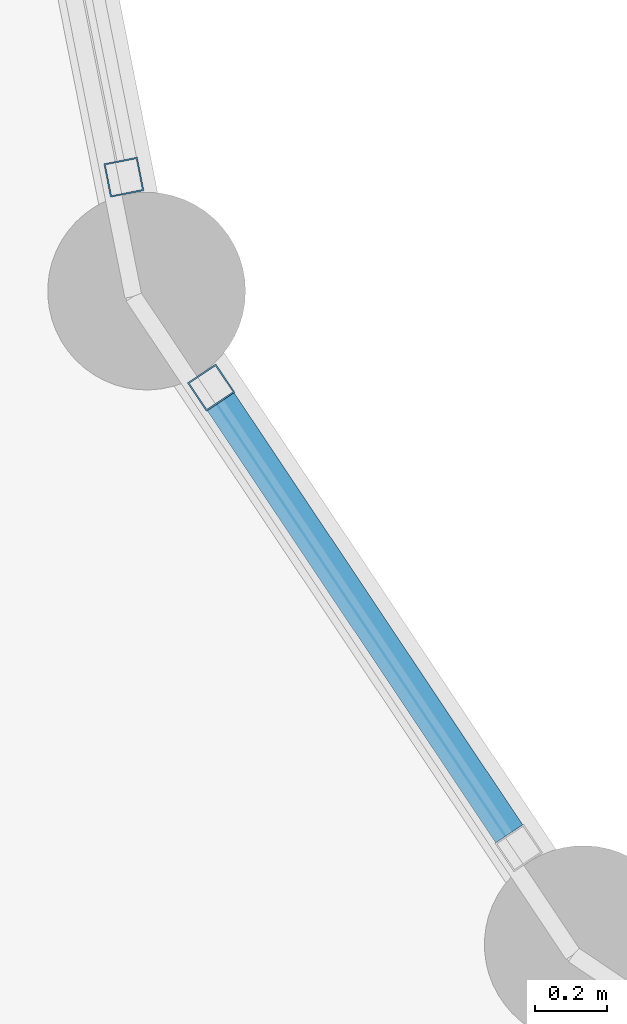
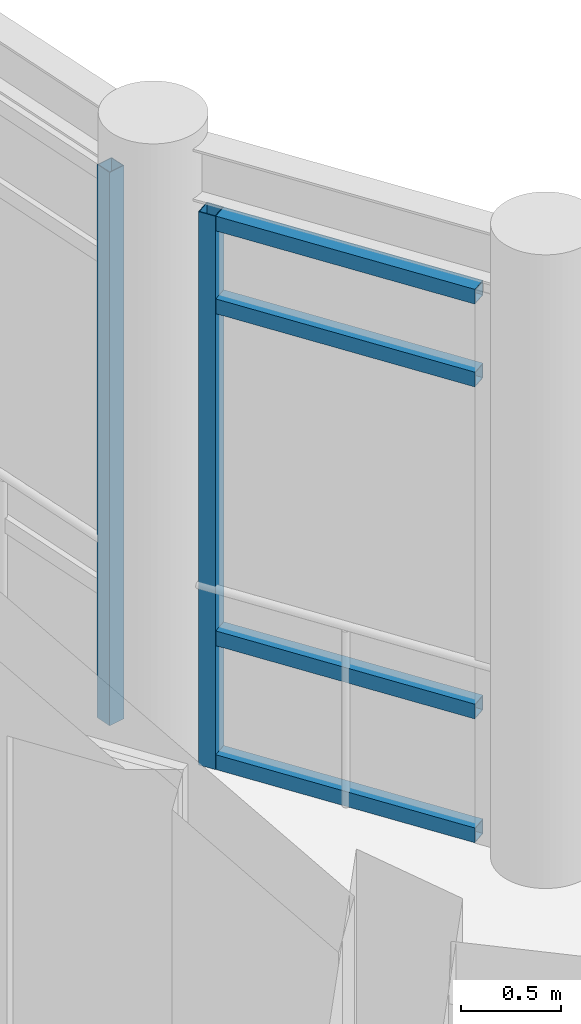
# One storey, part 8 of 149: 6 members, 2 elements without a shape of their own.
"""IFC4 building model written with IfcOpenShell, lengths in metres."""

from ifc_helpers import new_model, si_unit, direction, frame, origin, origin_2d, place, context, subcontext, project, spatial, hollow_rectangle, extrude, material, material_profile, profile_set, type_object, element, aggregate, save


model = new_model("IFC4")

# Units and contexts
model_context = context("Model", 3, precision=1e-05, world=origin(), true_north=direction((0.0, 1.0)))
body_context = subcontext(model_context, "Body", "Model", "MODEL_VIEW")
ifc_project = project(units=[si_unit("LENGTHUNIT", "METRE"), si_unit("AREAUNIT", "SQUARE_METRE"), si_unit("VOLUMEUNIT", "CUBIC_METRE"), si_unit("PLANEANGLEUNIT", "RADIAN"), si_unit("MASSUNIT", "GRAM", prefix="KILO")], contexts=[model_context])

# Site, building, storey
site_placement = place(None, origin())
site = spatial("IfcSite", under=ifc_project, at=site_placement, CompositionType="ELEMENT")
building_placement = place(site_placement, origin())
building = spatial("IfcBuilding", under=site, at=building_placement, Name="Celadon Cloister-Ring School", CompositionType="ELEMENT")
storey_placement = place(building_placement, frame((0.0, 0.0, 12.5)))
storey = spatial("IfcBuildingStorey", under=building, at=storey_placement, Name="L03", CompositionType="ELEMENT", Elevation=12.5)

# Curtain wall, member
ifc_material_1 = material(Name="Aluminium EN AW-6063 T6", Category="aluminium")
curtain_wall_type = type_object("IfcCurtainWallType", Name="CW-06", PredefinedType="USERDEFINED", material=ifc_material_1)
curtain_wall_1_placement = place(storey_placement, origin())
curtain_wall_1 = element("IfcCurtainWall", 1, at=curtain_wall_1_placement, inside=storey, type_object=curtain_wall_type, Name="Curtain Wall 0169", ObjectType="CURTAIN WALL", PredefinedType="USERDEFINED")
ifc_material_2 = material(Name="Aluminium EN AW-6063 T6", Category="aluminium")
ifc_material_profile_1 = material_profile(ifc_material_2, hollow_rectangle(XDim=0.094970703125, YDim=0.094970703125, WallThickness=0.00390625, at=origin_2d()), Name="RHS95X95X4")
ifc_profile_set_1 = profile_set([ifc_material_profile_1], Name="Aluminium EN AW-6063 T6")
member_type_1 = type_object("IfcMemberType", Name="CM-02", PredefinedType="MULLION", material=ifc_profile_set_1)
member_1_placement = place(storey_placement, frame((14.962646484375, 18.173583984375, 0.0), z_axis=(0.0, 0.0, 1.0), x_axis=(0.980885435464, 0.194586131301, 0.0)))
member_1 = element("IfcMember", 2, at=member_1_placement, type_object=member_type_1, Name="CW-06 mullion 2", PredefinedType="MULLION", context=body_context, shape_type="SweptSolid", body=[
    extrude(hollow_rectangle(XDim=0.094970703125, YDim=0.094970703125, WallThickness=0.00390625, at=origin_2d()), origin(), (0.0, 0.0, 1.0), 3.375),
])
aggregate(curtain_wall_1, [member_1])

# Curtain wall, members
curtain_wall_2_placement = place(storey_placement, origin())
curtain_wall_2 = element("IfcCurtainWall", 3, at=curtain_wall_2_placement, inside=storey, type_object=curtain_wall_type, Name="Curtain Wall 0170", ObjectType="CURTAIN WALL", PredefinedType="USERDEFINED")
member_2_placement = place(storey_placement, frame((15.205322265625, 17.588623046875, 0.0), z_axis=(0.0, 0.0, 1.0), x_axis=(0.831485091394, 0.555547066224, 0.0)))
member_2 = element("IfcMember", 4, at=member_2_placement, type_object=member_type_1, Name="CW-06 mullion 1", PredefinedType="MULLION", context=body_context, shape_type="SweptSolid", body=[
    extrude(hollow_rectangle(XDim=0.094970703125, YDim=0.094970703125, WallThickness=0.00390625, at=origin_2d()), origin(), (0.0, 0.0, 1.0), 3.375),
])
ifc_material_3 = material(Name="Aluminium EN AW-6063 T6", Category="aluminium")
ifc_material_profile_2 = material_profile(ifc_material_3, hollow_rectangle(XDim=0.090087890625, YDim=0.090087890625, WallThickness=0.00390625, at=origin_2d()), Name="RHS90X90X4")
ifc_profile_set_2 = profile_set([ifc_material_profile_2], Name="Aluminium EN AW-6063 T6")
member_type_2 = type_object("IfcMemberType", Name="CTM-02", PredefinedType="USERDEFINED", material=ifc_profile_set_2)
member_3_placement = place(storey_placement, frame((15.231689453125, 17.549072265625, 0.044921875), z_axis=(0.555518951009, -0.831503875559, 0.0), x_axis=(0.831503875559, 0.555518951009, 0.0)))
member_3 = element("IfcMember", 5, at=member_3_placement, type_object=member_type_2, Name="CW-06 transom 1.1", ObjectType="TRANSOM", PredefinedType="USERDEFINED", context=body_context, shape_type="SweptSolid", body=[
    extrude(hollow_rectangle(XDim=0.090087890625, YDim=0.090087890625, WallThickness=0.00390625, at=origin_2d()), origin(), (0.0, 0.0, 1.0), 1.444580078125),
])
member_4_placement = place(storey_placement, frame((15.231689453125, 17.549072265625, 0.800048828125), z_axis=(0.555518951009, -0.831503875559, 0.0), x_axis=(0.831503875559, 0.555518951009, 0.0)))
member_4 = element("IfcMember", 6, at=member_4_placement, type_object=member_type_2, Name="CW-06 transom 1.2", ObjectType="TRANSOM", PredefinedType="USERDEFINED", context=body_context, shape_type="SweptSolid", body=[
    extrude(hollow_rectangle(XDim=0.090087890625, YDim=0.090087890625, WallThickness=0.00390625, at=origin_2d()), origin(), (0.0, 0.0, 1.0), 1.444580078125),
])
member_5_placement = place(storey_placement, frame((15.231689453125, 17.549072265625, 2.824951171875), z_axis=(0.555518951009, -0.831503875559, 0.0), x_axis=(0.831503875559, 0.555518951009, 0.0)))
member_5 = element("IfcMember", 7, at=member_5_placement, type_object=member_type_2, Name="CW-06 transom 1.3", ObjectType="TRANSOM", PredefinedType="USERDEFINED", context=body_context, shape_type="SweptSolid", body=[
    extrude(hollow_rectangle(XDim=0.090087890625, YDim=0.090087890625, WallThickness=0.00390625, at=origin_2d()), origin(), (0.0, 0.0, 1.0), 1.444580078125),
])
member_6_placement = place(storey_placement, frame((15.231689453125, 17.549072265625, 3.330078125), z_axis=(0.555518951009, -0.831503875559, 0.0), x_axis=(0.831503875559, 0.555518951009, 0.0)))
member_6 = element("IfcMember", 8, at=member_6_placement, type_object=member_type_2, Name="CW-06 transom 1.4", ObjectType="TRANSOM", PredefinedType="USERDEFINED", context=body_context, shape_type="SweptSolid", body=[
    extrude(hollow_rectangle(XDim=0.090087890625, YDim=0.090087890625, WallThickness=0.00390625, at=origin_2d()), origin(), (0.0, 0.0, 1.0), 1.444580078125),
])
aggregate(curtain_wall_2, [member_2, member_3, member_4, member_5, member_6])

save(model, "model.ifc")
